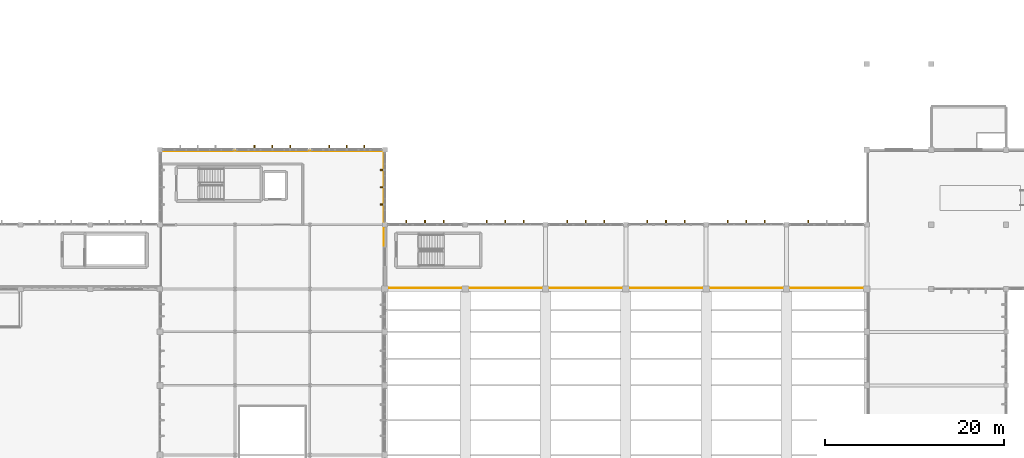
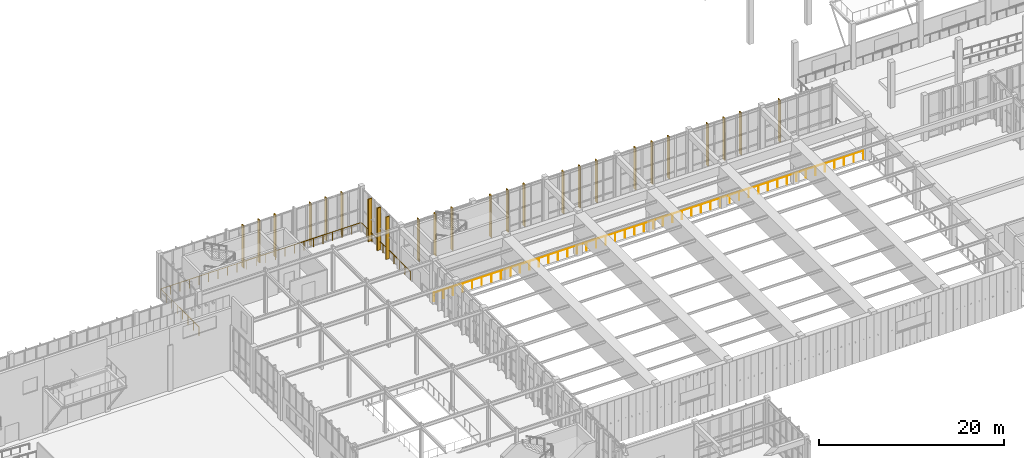
# One storey, part 102 of 105: 25 coverings, 3 railings.
"""IFC4 building model written with IfcOpenShell, lengths in metres."""

from ifc_helpers import new_model, si_unit, direction, frame, origin, origin_2d, place, context, subcontext, project, spatial, rectangle, circle, extrude, material, layer, layer_set, type_object, element, save


model = new_model("IFC4")

# Units and contexts
model_context = context("Model", 3, precision=1e-05, world=origin(), true_north=direction((0.0, 1.0)))
body_context = subcontext(model_context, "Body", "Model", "MODEL_VIEW")
ifc_project = project(units=[si_unit("LENGTHUNIT", "METRE"), si_unit("AREAUNIT", "SQUARE_METRE"), si_unit("VOLUMEUNIT", "CUBIC_METRE"), si_unit("PLANEANGLEUNIT", "RADIAN"), si_unit("MASSUNIT", "GRAM", prefix="KILO")], contexts=[model_context])

# Site, building, storey
site_placement = place(None, origin())
site = spatial("IfcSite", under=ifc_project, at=site_placement, CompositionType="ELEMENT")
building_placement = place(site_placement, origin())
building = spatial("IfcBuilding", under=site, at=building_placement, Name="Tizgana Railside Sports Hall", CompositionType="ELEMENT")
storey_placement = place(building_placement, frame((0.0, 0.0, 6.0)))
storey = spatial("IfcBuildingStorey", under=building, at=storey_placement, Name="L01", CompositionType="ELEMENT", Elevation=6.0)

# Coverings
ifc_material_1 = material(Name="Glulam GL28h", Category="wood")
ifc_layer = layer(ifc_material_1, 0.139892578125, Name="Glulam GL28h")
ifc_layer_set = layer_set([ifc_layer], Name="Glulam GL28h")
covering_type = type_object("IfcCoveringType", Name="Mass-Timber Brise-Soleil & Pergola Fin", PredefinedType="CLADDING", material=ifc_layer_set)
for number, where, z_axis, x_axis, name in (
    (1, (82.215087890625, 80.679931640625, 0.0400390625), (0.0, 0.0, 1.0), (1.0, 0.0, 0.0), "L01 Timber Brise-Soleil Fin"),
    (2, (84.300048828125, 80.679931640625, 0.0400390625), (0.0, 0.0, 1.0), (1.0, 0.0, 0.0), "L01 Timber Brise-Soleil Fin"),
    (3, (86.385009765625, 80.679931640625, 0.0400390625), (0.0, 0.0, 1.0), (1.0, 0.0, 0.0), "L01 Timber Brise-Soleil Fin"),
    (4, (91.215087890625, 80.679931640625, 0.0400390625), (0.0, 0.0, 1.0), (1.0, 0.0, 0.0), "L01 Timber Brise-Soleil Fin"),
    (5, (93.300048828125, 80.679931640625, 0.0400390625), (0.0, 0.0, 1.0), (1.0, 0.0, 0.0), "L01 Timber Brise-Soleil Fin"),
    (6, (95.385009765625, 80.679931640625, 0.0400390625), (0.0, 0.0, 1.0), (1.0, 0.0, 0.0), "L01 Timber Brise-Soleil Fin"),
    (7, (100.215087890625, 80.679931640625, 0.0400390625), (0.0, 0.0, 1.0), (1.0, 0.0, 0.0), "L01 Timber Brise-Soleil Fin"),
    (8, (102.300048828125, 80.679931640625, 0.0400390625), (0.0, 0.0, 1.0), (1.0, 0.0, 0.0), "L01 Timber Brise-Soleil Fin"),
    (9, (104.385009765625, 80.679931640625, 0.0400390625), (0.0, 0.0, 1.0), (1.0, 0.0, 0.0), "L01 Timber Brise-Soleil Fin"),
    (10, (109.215087890625, 80.679931640625, 0.0400390625), (0.0, 0.0, 1.0), (1.0, 0.0, 0.0), "L01 Timber Brise-Soleil Fin"),
    (11, (111.300048828125, 80.679931640625, 0.0400390625), (0.0, 0.0, 1.0), (1.0, 0.0, 0.0), "L01 Timber Brise-Soleil Fin"),
    (12, (113.385009765625, 80.679931640625, 0.0400390625), (0.0, 0.0, 1.0), (1.0, 0.0, 0.0), "L01 Timber Brise-Soleil Fin"),
    (13, (118.215087890625, 80.679931640625, 0.0400390625), (0.0, 0.0, 1.0), (1.0, 0.0, 0.0), "L01 Timber Brise-Soleil Fin"),
    (14, (120.300048828125, 80.679931640625, 0.0400390625), (0.0, 0.0, 1.0), (1.0, 0.0, 0.0), "L01 Timber Brise-Soleil Fin"),
    (15, (122.385009765625, 80.679931640625, 0.0400390625), (0.0, 0.0, 1.0), (1.0, 0.0, 0.0), "L01 Timber Brise-Soleil Fin"),
    (16, (127.215087890625, 80.679931640625, 0.0400390625), (0.0, 0.0, 1.0), (1.0, 0.0, 0.0), "L01 Timber Brise-Soleil Fin"),
):
    element("IfcCovering", number, at=place(storey_placement, frame(where, z_axis=z_axis, x_axis=x_axis)), inside=storey, type_object=covering_type, Name=name, PredefinedType="CLADDING", context=body_context, shape_type="SweptSolid", body=[
        extrude(rectangle(XDim=0.1201171875, YDim=0.43994140625, at=origin_2d()), origin(), (0.0, 0.0, 1.0), 5.56005859375),
    ])
for number, where, z_axis, x_axis, name in (
    (17, (65.202392578125, 89.080078125, 0.0400390625), (0.0, 0.0, 1.0), (1.0, 0.0, 0.0), "L01 Timber Brise-Soleil Fin"),
    (18, (67.199951171875, 89.080078125, 0.0400390625), (0.0, 0.0, 1.0), (1.0, 0.0, 0.0), "L01 Timber Brise-Soleil Fin"),
    (19, (69.197509765625, 89.080078125, 0.0400390625), (0.0, 0.0, 1.0), (1.0, 0.0, 0.0), "L01 Timber Brise-Soleil Fin"),
    (20, (73.5712890625, 89.080078125, 0.0400390625), (0.0, 0.0, 1.0), (1.0, 0.0, 0.0), "L01 Timber Brise-Soleil Fin"),
    (21, (75.53759765625, 89.080078125, 0.0400390625), (0.0, 0.0, 1.0), (1.0, 0.0, 0.0), "L01 Timber Brise-Soleil Fin"),
    (22, (77.503662109375, 89.080078125, 0.0400390625), (0.0, 0.0, 1.0), (1.0, 0.0, 0.0), "L01 Timber Brise-Soleil Fin"),
    (23, (79.52001953125, 82.6650390625, 0.0400390625), (0.0, 0.0, 1.0), (0.0, 1.0, 0.0), "L01 Timber Brise-Soleil Fin"),
    (24, (79.52001953125, 84.60009765625, 0.0400390625), (0.0, 0.0, 1.0), (0.0, 1.0, 0.0), "L01 Timber Brise-Soleil Fin"),
    (25, (79.52001953125, 86.534912109375, 0.0400390625), (0.0, 0.0, 1.0), (0.0, 1.0, 0.0), "L01 Timber Brise-Soleil Fin"),
):
    element("IfcCovering", number, at=place(storey_placement, frame(where, z_axis=z_axis, x_axis=x_axis)), inside=storey, type_object=covering_type, Name=name, PredefinedType="CLADDING", context=body_context, shape_type="SweptSolid", body=[
        extrude(rectangle(XDim=0.1201171875, YDim=0.43994140625, at=origin_2d()), origin(), (0.0, 0.0, 1.0), 5.610107421875),
    ])

# Railings
ifc_material_2 = material(Name="Anodised aluminium", Category="aluminium")
railing_type = type_object("IfcRailingType", Name="Terrace & Track Guard 1150", PredefinedType="BALUSTRADE", material=ifc_material_2)
railing_1_placement = place(storey_placement, frame((133.39990234375, 73.300048828125, 0.0)))
element("IfcRailing", 26, at=railing_1_placement, inside=storey, type_object=railing_type, Name="L01 Safety Guard GRD-0009", PredefinedType="BALUSTRADE", context=body_context, shape_type="SweptSolid", body=[
    extrude(circle(Radius=0.02392578125, at=origin_2d()), frame((0.0, 0.0, 1.1259765625), z_axis=(-1.0, 0.0, 0.0), x_axis=(0.0, -1.0, 0.0)), (0.0, 0.0, 1.0), 53.5),
    extrude(circle(Radius=0.02099609375, at=origin_2d()), origin(), (0.0, 0.0, 1.0), 1.101806640625),
    extrude(circle(Radius=0.02099609375, at=origin_2d()), frame((-1.18896484375, 0.0, 0.0)), (0.0, 0.0, 1.0), 1.101806640625),
    extrude(circle(Radius=0.02099609375, at=origin_2d()), frame((-2.377685546875, 0.0, 0.0)), (0.0, 0.0, 1.0), 1.101806640625),
    extrude(circle(Radius=0.02099609375, at=origin_2d()), frame((-3.566650390625, 0.0, 0.0)), (0.0, 0.0, 1.0), 1.101806640625),
    extrude(circle(Radius=0.02099609375, at=origin_2d()), frame((-4.755615234375, 0.0, 0.0)), (0.0, 0.0, 1.0), 1.101806640625),
    extrude(circle(Radius=0.02099609375, at=origin_2d()), frame((-5.9443359375, 0.0, 0.0)), (0.0, 0.0, 1.0), 1.101806640625),
    extrude(circle(Radius=0.02099609375, at=origin_2d()), frame((-7.13330078125, 0.0, 0.0)), (0.0, 0.0, 1.0), 1.101806640625),
    extrude(circle(Radius=0.02099609375, at=origin_2d()), frame((-8.322265625, 0.0, 0.0)), (0.0, 0.0, 1.0), 1.101806640625),
    extrude(circle(Radius=0.02099609375, at=origin_2d()), frame((-9.51123046875, 0.0, 0.0)), (0.0, 0.0, 1.0), 1.101806640625),
    extrude(circle(Radius=0.02099609375, at=origin_2d()), frame((-10.699951171875, 0.0, 0.0)), (0.0, 0.0, 1.0), 1.101806640625),
    extrude(circle(Radius=0.02099609375, at=origin_2d()), frame((-11.888916015625, 0.0, 0.0)), (0.0, 0.0, 1.0), 1.101806640625),
    extrude(circle(Radius=0.02099609375, at=origin_2d()), frame((-13.077880859375, 0.0, 0.0)), (0.0, 0.0, 1.0), 1.101806640625),
    extrude(circle(Radius=0.02099609375, at=origin_2d()), frame((-14.2666015625, 0.0, 0.0)), (0.0, 0.0, 1.0), 1.101806640625),
    extrude(circle(Radius=0.02099609375, at=origin_2d()), frame((-15.45556640625, 0.0, 0.0)), (0.0, 0.0, 1.0), 1.101806640625),
    extrude(circle(Radius=0.02099609375, at=origin_2d()), frame((-16.64453125, 0.0, 0.0)), (0.0, 0.0, 1.0), 1.101806640625),
    extrude(circle(Radius=0.02099609375, at=origin_2d()), frame((-17.833251953125, 0.0, 0.0)), (0.0, 0.0, 1.0), 1.101806640625),
    extrude(circle(Radius=0.02099609375, at=origin_2d()), frame((-19.022216796875, 0.0, 0.0)), (0.0, 0.0, 1.0), 1.101806640625),
    extrude(circle(Radius=0.02099609375, at=origin_2d()), frame((-20.211181640625, 0.0, 0.0)), (0.0, 0.0, 1.0), 1.101806640625),
    extrude(circle(Radius=0.02099609375, at=origin_2d()), frame((-21.39990234375, 0.0, 0.0)), (0.0, 0.0, 1.0), 1.101806640625),
    extrude(circle(Radius=0.02099609375, at=origin_2d()), frame((-22.5888671875, 0.0, 0.0)), (0.0, 0.0, 1.0), 1.101806640625),
    extrude(circle(Radius=0.02099609375, at=origin_2d()), frame((-23.77783203125, 0.0, 0.0)), (0.0, 0.0, 1.0), 1.101806640625),
    extrude(circle(Radius=0.02099609375, at=origin_2d()), frame((-24.966552734375, 0.0, 0.0)), (0.0, 0.0, 1.0), 1.101806640625),
    extrude(circle(Radius=0.02099609375, at=origin_2d()), frame((-26.155517578125, 0.0, 0.0)), (0.0, 0.0, 1.0), 1.101806640625),
    extrude(circle(Radius=0.02099609375, at=origin_2d()), frame((-27.344482421875, 0.0, 0.0)), (0.0, 0.0, 1.0), 1.101806640625),
    extrude(circle(Radius=0.02099609375, at=origin_2d()), frame((-28.533447265625, 0.0, 0.0)), (0.0, 0.0, 1.0), 1.101806640625),
    extrude(circle(Radius=0.02099609375, at=origin_2d()), frame((-29.72216796875, 0.0, 0.0)), (0.0, 0.0, 1.0), 1.101806640625),
    extrude(circle(Radius=0.02099609375, at=origin_2d()), frame((-30.9111328125, 0.0, 0.0)), (0.0, 0.0, 1.0), 1.101806640625),
    extrude(circle(Radius=0.02099609375, at=origin_2d()), frame((-32.10009765625, 0.0, 0.0)), (0.0, 0.0, 1.0), 1.101806640625),
    extrude(circle(Radius=0.02099609375, at=origin_2d()), frame((-33.288818359375, 0.0, 0.0)), (0.0, 0.0, 1.0), 1.101806640625),
    extrude(circle(Radius=0.02099609375, at=origin_2d()), frame((-34.477783203125, 0.0, 0.0)), (0.0, 0.0, 1.0), 1.101806640625),
    extrude(circle(Radius=0.02099609375, at=origin_2d()), frame((-35.666748046875, 0.0, 0.0)), (0.0, 0.0, 1.0), 1.101806640625),
    extrude(circle(Radius=0.02099609375, at=origin_2d()), frame((-36.85546875, 0.0, 0.0)), (0.0, 0.0, 1.0), 1.101806640625),
    extrude(circle(Radius=0.02099609375, at=origin_2d()), frame((-38.04443359375, 0.0, 0.0)), (0.0, 0.0, 1.0), 1.101806640625),
    extrude(circle(Radius=0.02099609375, at=origin_2d()), frame((-39.2333984375, 0.0, 0.0)), (0.0, 0.0, 1.0), 1.101806640625),
    extrude(circle(Radius=0.02099609375, at=origin_2d()), frame((-40.422119140625, 0.0, 0.0)), (0.0, 0.0, 1.0), 1.101806640625),
    extrude(circle(Radius=0.02099609375, at=origin_2d()), frame((-41.611083984375, 0.0, 0.0)), (0.0, 0.0, 1.0), 1.101806640625),
    extrude(circle(Radius=0.02099609375, at=origin_2d()), frame((-42.800048828125, 0.0, 0.0)), (0.0, 0.0, 1.0), 1.101806640625),
    extrude(circle(Radius=0.02099609375, at=origin_2d()), frame((-43.98876953125, 0.0, 0.0)), (0.0, 0.0, 1.0), 1.101806640625),
    extrude(circle(Radius=0.02099609375, at=origin_2d()), frame((-45.177734375, 0.0, 0.0)), (0.0, 0.0, 1.0), 1.101806640625),
    extrude(circle(Radius=0.02099609375, at=origin_2d()), frame((-46.36669921875, 0.0, 0.0)), (0.0, 0.0, 1.0), 1.101806640625),
    extrude(circle(Radius=0.02099609375, at=origin_2d()), frame((-47.5556640625, 0.0, 0.0)), (0.0, 0.0, 1.0), 1.101806640625),
    extrude(circle(Radius=0.02099609375, at=origin_2d()), frame((-48.744384765625, 0.0, 0.0)), (0.0, 0.0, 1.0), 1.101806640625),
    extrude(circle(Radius=0.02099609375, at=origin_2d()), frame((-49.933349609375, 0.0, 0.0)), (0.0, 0.0, 1.0), 1.101806640625),
    extrude(circle(Radius=0.02099609375, at=origin_2d()), frame((-51.122314453125, 0.0, 0.0)), (0.0, 0.0, 1.0), 1.101806640625),
    extrude(circle(Radius=0.02099609375, at=origin_2d()), frame((-52.31103515625, 0.0, 0.0)), (0.0, 0.0, 1.0), 1.101806640625),
    extrude(circle(Radius=0.02099609375, at=origin_2d()), frame((-53.5, 0.0, 0.0)), (0.0, 0.0, 1.0), 1.101806640625),
])
railing_2_placement = place(storey_placement, frame((54.699951171875, 80.39990234375, 0.0)))
element("IfcRailing", 27, at=railing_2_placement, inside=storey, type_object=railing_type, Name="L01 Safety Guard GRD-0024", PredefinedType="BALUSTRADE", context=body_context, shape_type="SweptSolid", body=[
    extrude(circle(Radius=0.02392578125, at=origin_2d()), frame((0.0, 0.0, 1.1259765625), z_axis=(0.0, 1.0, 0.0), x_axis=(-1.0, 0.0, 0.0)), (0.0, 0.0, 1.0), 8.280029296875),
    extrude(circle(Radius=0.02392578125, at=origin_2d()), frame((0.0, 8.280029296875, 1.1259765625), z_axis=(1.0, 0.0, 0.0), x_axis=(0.0, 1.0, 0.0)), (0.0, 0.0, 1.0), 25.0),
    extrude(circle(Radius=0.02392578125, at=origin_2d()), frame((25.0, 8.280029296875, 1.1259765625), z_axis=(0.0, -1.0, 0.0), x_axis=(1.0, 0.0, 0.0)), (0.0, 0.0, 1.0), 8.280029296875),
    extrude(circle(Radius=0.02099609375, at=origin_2d()), origin(), (0.0, 0.0, 1.0), 1.101806640625),
    extrude(circle(Radius=0.02099609375, at=origin_2d()), frame((0.0, 1.182861328125, 0.0)), (0.0, 0.0, 1.0), 1.101806640625),
    extrude(circle(Radius=0.02099609375, at=origin_2d()), frame((0.0, 2.36572265625, 0.0)), (0.0, 0.0, 1.0), 1.101806640625),
    extrude(circle(Radius=0.02099609375, at=origin_2d()), frame((0.0, 3.548583984375, 0.0)), (0.0, 0.0, 1.0), 1.101806640625),
    extrude(circle(Radius=0.02099609375, at=origin_2d()), frame((0.0, 4.7314453125, 0.0)), (0.0, 0.0, 1.0), 1.101806640625),
    extrude(circle(Radius=0.02099609375, at=origin_2d()), frame((0.0, 5.914306640625, 0.0)), (0.0, 0.0, 1.0), 1.101806640625),
    extrude(circle(Radius=0.02099609375, at=origin_2d()), frame((0.0, 7.09716796875, 0.0)), (0.0, 0.0, 1.0), 1.101806640625),
    extrude(circle(Radius=0.02099609375, at=origin_2d()), frame((0.0, 8.280029296875, 0.0)), (0.0, 0.0, 1.0), 1.101806640625),
    extrude(circle(Radius=0.02099609375, at=origin_2d()), frame((1.1904296875, 8.280029296875, 0.0)), (0.0, 0.0, 1.0), 1.101806640625),
    extrude(circle(Radius=0.02099609375, at=origin_2d()), frame((2.380859375, 8.280029296875, 0.0)), (0.0, 0.0, 1.0), 1.101806640625),
    extrude(circle(Radius=0.02099609375, at=origin_2d()), frame((3.571533203125, 8.280029296875, 0.0)), (0.0, 0.0, 1.0), 1.101806640625),
    extrude(circle(Radius=0.02099609375, at=origin_2d()), frame((4.761962890625, 8.280029296875, 0.0)), (0.0, 0.0, 1.0), 1.101806640625),
    extrude(circle(Radius=0.02099609375, at=origin_2d()), frame((5.952392578125, 8.280029296875, 0.0)), (0.0, 0.0, 1.0), 1.101806640625),
    extrude(circle(Radius=0.02099609375, at=origin_2d()), frame((7.142822265625, 8.280029296875, 0.0)), (0.0, 0.0, 1.0), 1.101806640625),
    extrude(circle(Radius=0.02099609375, at=origin_2d()), frame((8.333251953125, 8.280029296875, 0.0)), (0.0, 0.0, 1.0), 1.101806640625),
    extrude(circle(Radius=0.02099609375, at=origin_2d()), frame((9.52392578125, 8.280029296875, 0.0)), (0.0, 0.0, 1.0), 1.101806640625),
    extrude(circle(Radius=0.02099609375, at=origin_2d()), frame((10.71435546875, 8.280029296875, 0.0)), (0.0, 0.0, 1.0), 1.101806640625),
    extrude(circle(Radius=0.02099609375, at=origin_2d()), frame((11.90478515625, 8.280029296875, 0.0)), (0.0, 0.0, 1.0), 1.101806640625),
    extrude(circle(Radius=0.02099609375, at=origin_2d()), frame((13.09521484375, 8.280029296875, 0.0)), (0.0, 0.0, 1.0), 1.101806640625),
    extrude(circle(Radius=0.02099609375, at=origin_2d()), frame((14.28564453125, 8.280029296875, 0.0)), (0.0, 0.0, 1.0), 1.101806640625),
    extrude(circle(Radius=0.02099609375, at=origin_2d()), frame((15.47607421875, 8.280029296875, 0.0)), (0.0, 0.0, 1.0), 1.101806640625),
    extrude(circle(Radius=0.02099609375, at=origin_2d()), frame((16.666748046875, 8.280029296875, 0.0)), (0.0, 0.0, 1.0), 1.101806640625),
    extrude(circle(Radius=0.02099609375, at=origin_2d()), frame((17.857177734375, 8.280029296875, 0.0)), (0.0, 0.0, 1.0), 1.101806640625),
    extrude(circle(Radius=0.02099609375, at=origin_2d()), frame((19.047607421875, 8.280029296875, 0.0)), (0.0, 0.0, 1.0), 1.101806640625),
    extrude(circle(Radius=0.02099609375, at=origin_2d()), frame((20.238037109375, 8.280029296875, 0.0)), (0.0, 0.0, 1.0), 1.101806640625),
    extrude(circle(Radius=0.02099609375, at=origin_2d()), frame((21.428466796875, 8.280029296875, 0.0)), (0.0, 0.0, 1.0), 1.101806640625),
    extrude(circle(Radius=0.02099609375, at=origin_2d()), frame((22.619140625, 8.280029296875, 0.0)), (0.0, 0.0, 1.0), 1.101806640625),
    extrude(circle(Radius=0.02099609375, at=origin_2d()), frame((23.8095703125, 8.280029296875, 0.0)), (0.0, 0.0, 1.0), 1.101806640625),
    extrude(circle(Radius=0.02099609375, at=origin_2d()), frame((25.0, 8.280029296875, 0.0)), (0.0, 0.0, 1.0), 1.101806640625),
    extrude(circle(Radius=0.02099609375, at=origin_2d()), frame((25.0, 7.09716796875, 0.0)), (0.0, 0.0, 1.0), 1.101806640625),
    extrude(circle(Radius=0.02099609375, at=origin_2d()), frame((25.0, 5.914306640625, 0.0)), (0.0, 0.0, 1.0), 1.101806640625),
    extrude(circle(Radius=0.02099609375, at=origin_2d()), frame((25.0, 4.7314453125, 0.0)), (0.0, 0.0, 1.0), 1.101806640625),
    extrude(circle(Radius=0.02099609375, at=origin_2d()), frame((25.0, 3.548583984375, 0.0)), (0.0, 0.0, 1.0), 1.101806640625),
    extrude(circle(Radius=0.02099609375, at=origin_2d()), frame((25.0, 2.36572265625, 0.0)), (0.0, 0.0, 1.0), 1.101806640625),
    extrude(circle(Radius=0.02099609375, at=origin_2d()), frame((25.0, 1.182861328125, 0.0)), (0.0, 0.0, 1.0), 1.101806640625),
    extrude(circle(Radius=0.02099609375, at=origin_2d()), frame((25.0, 0.0, 0.0)), (0.0, 0.0, 1.0), 1.101806640625),
])
railing_3_placement = place(storey_placement, frame((79.679931640625, 78.050048828125, 0.0)))
element("IfcRailing", 28, at=railing_3_placement, inside=storey, type_object=railing_type, Name="L01 Safety Guard GRD-0033", PredefinedType="BALUSTRADE", context=body_context, shape_type="SweptSolid", body=[
    extrude(circle(Radius=0.02392578125, at=origin_2d()), frame((0.0, 0.0, 1.1259765625), z_axis=(0.0, 1.0, 0.0), x_axis=(-1.0, 0.0, 0.0)), (0.0, 0.0, 1.0), 10.599853515625),
    extrude(circle(Radius=0.02099609375, at=origin_2d()), origin(), (0.0, 0.0, 1.0), 1.101806640625),
    extrude(circle(Radius=0.02099609375, at=origin_2d()), frame((0.0, 1.177734375, 0.0)), (0.0, 0.0, 1.0), 1.101806640625),
    extrude(circle(Radius=0.02099609375, at=origin_2d()), frame((0.0, 2.35546875, 0.0)), (0.0, 0.0, 1.0), 1.101806640625),
    extrude(circle(Radius=0.02099609375, at=origin_2d()), frame((0.0, 3.533203125, 0.0)), (0.0, 0.0, 1.0), 1.101806640625),
    extrude(circle(Radius=0.02099609375, at=origin_2d()), frame((0.0, 4.7109375, 0.0)), (0.0, 0.0, 1.0), 1.101806640625),
    extrude(circle(Radius=0.02099609375, at=origin_2d()), frame((0.0, 5.888916015625, 0.0)), (0.0, 0.0, 1.0), 1.101806640625),
    extrude(circle(Radius=0.02099609375, at=origin_2d()), frame((0.0, 7.066650390625, 0.0)), (0.0, 0.0, 1.0), 1.101806640625),
    extrude(circle(Radius=0.02099609375, at=origin_2d()), frame((0.0, 8.244384765625, 0.0)), (0.0, 0.0, 1.0), 1.101806640625),
    extrude(circle(Radius=0.02099609375, at=origin_2d()), frame((0.0, 9.422119140625, 0.0)), (0.0, 0.0, 1.0), 1.101806640625),
    extrude(circle(Radius=0.02099609375, at=origin_2d()), frame((0.0, 10.599853515625, 0.0)), (0.0, 0.0, 1.0), 1.101806640625),
])

save(model, "model.ifc")
